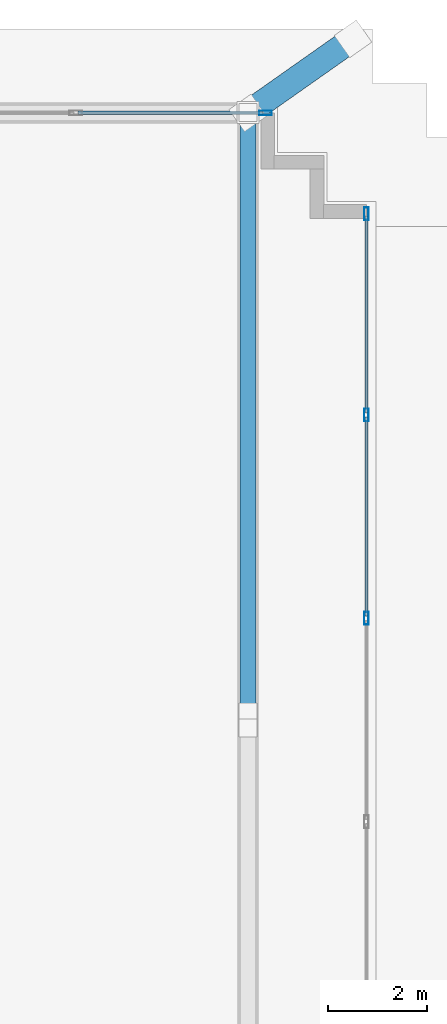
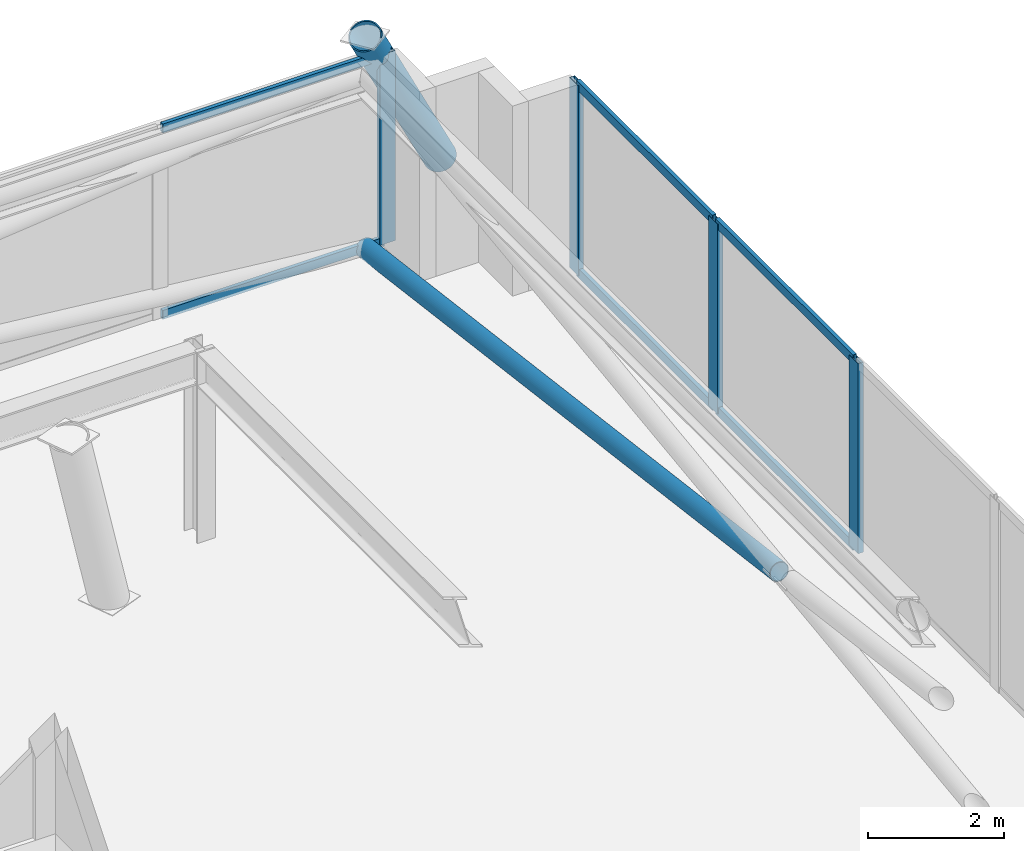
# One storey, part 13 of 18: 12 members, 2 elements without a shape of their own.
"""IFC4 building model written with IfcOpenShell, lengths in metres."""

from ifc_helpers import new_model, si_unit, direction, frame, origin, origin_2d, place, context, subcontext, project, spatial, hollow_rectangle, hollow_circle, extrude, material, layer, layer_set, material_profile, profile_set, type_object, element, aggregate, save


model = new_model("IFC4")

# Units and contexts
model_context = context("Model", 3, precision=1e-05, world=origin(), true_north=direction((0.0, 1.0)))
body_context = subcontext(model_context, "Body", "Model", "MODEL_VIEW")
ifc_project = project(units=[si_unit("LENGTHUNIT", "METRE"), si_unit("AREAUNIT", "SQUARE_METRE"), si_unit("VOLUMEUNIT", "CUBIC_METRE"), si_unit("PLANEANGLEUNIT", "RADIAN"), si_unit("MASSUNIT", "GRAM", prefix="KILO")], contexts=[model_context])

# Site, building, storey
site_placement = place(None, origin())
site = spatial("IfcSite", under=ifc_project, at=site_placement, CompositionType="ELEMENT")
building_placement = place(site_placement, origin())
building = spatial("IfcBuilding", under=site, at=building_placement, Name="Qobustan Lattice House", CompositionType="ELEMENT")
storey_placement = place(building_placement, frame((0.0, 0.0, 277.800048828125)))
storey = spatial("IfcBuildingStorey", under=building, at=storey_placement, Name="L78", CompositionType="ELEMENT", Elevation=277.800048828125)

# Curtain wall, member
ifc_material_1 = material(Name="Anodised aluminium and low-E glazing", Category="aluminium")
ifc_layer = layer(ifc_material_1, 0.219970703125)
ifc_layer_set = layer_set([ifc_layer], Name="Anodised aluminium and low-E glazing")
curtain_wall_type = type_object("IfcCurtainWallType", Name="CW-CRN-01", PredefinedType="USERDEFINED", material=ifc_layer_set)
curtain_wall_1_placement = place(storey_placement, origin())
curtain_wall_1 = element("IfcCurtainWall", 1, at=curtain_wall_1_placement, inside=storey, type_object=curtain_wall_type, Name="L78 glass-point crown faceted curtain wall 10", ObjectType="CURTAIN WALL", PredefinedType="USERDEFINED")
ifc_material_2 = material(Name="Anodised aluminium EN AW-6063 T6", Category="aluminium")
ifc_material_profile_1 = material_profile(ifc_material_2, hollow_rectangle(XDim=0.090087890625, YDim=0.260009765625, WallThickness=0.006103515625, at=origin_2d()), Name="CWM-CROWN-260x90")
ifc_profile_set_1 = profile_set([ifc_material_profile_1], Name="Anodised aluminium EN AW-6063 T6")
member_type_1 = type_object("IfcMemberType", Name="CWM-CRN-260", PredefinedType="MULLION", material=ifc_profile_set_1)
member_1_placement = place(storey_placement, frame((15.301513671875, 10.70361328125, 0.0), z_axis=(0.0, 0.0, 1.0), x_axis=(0.0, 1.0, 0.0)))
member_1 = element("IfcMember", 2, at=member_1_placement, type_object=member_type_1, Name="CW-CR mullion 9", PredefinedType="MULLION", context=body_context, shape_type="SweptSolid", body=[
    extrude(hollow_rectangle(XDim=0.090087890625, YDim=0.260009765625, WallThickness=0.006103515625, at=origin_2d()), origin(), (0.0, 0.0, 1.0), 3.39990234375),
])

# Curtain wall, members
curtain_wall_2_placement = place(storey_placement, origin())
curtain_wall_2 = element("IfcCurtainWall", 3, at=curtain_wall_2_placement, inside=storey, type_object=curtain_wall_type, Name="L78 glass-point crown faceted curtain wall 15", ObjectType="CURTAIN WALL", PredefinedType="USERDEFINED")
member_2_placement = place(storey_placement, frame((17.346435546875, 8.658447265625, 0.0), z_axis=(0.0, 0.0, 1.0), x_axis=(1.0, 0.0, 0.0)))
member_2 = element("IfcMember", 4, at=member_2_placement, type_object=member_type_1, Name="CW-CR mullion 1", PredefinedType="MULLION", context=body_context, shape_type="SweptSolid", body=[
    extrude(hollow_rectangle(XDim=0.090087890625, YDim=0.260009765625, WallThickness=0.006103515625, at=origin_2d()), origin(), (0.0, 0.0, 1.0), 3.39990234375),
])
member_3_placement = place(storey_placement, frame((17.346435546875, 4.58203125, 0.0), z_axis=(0.0, 0.0, 1.0), x_axis=(1.0, 0.0, 0.0)))
member_3 = element("IfcMember", 5, at=member_3_placement, type_object=member_type_1, Name="CW-CR mullion 2", PredefinedType="MULLION", context=body_context, shape_type="SweptSolid", body=[
    extrude(hollow_rectangle(XDim=0.090087890625, YDim=0.260009765625, WallThickness=0.006103515625, at=origin_2d()), origin(), (0.0, 0.0, 1.0), 3.39990234375),
])
member_4_placement = place(storey_placement, frame((17.346435546875, 0.460693359375, 0.0), z_axis=(0.0, 0.0, 1.0), x_axis=(1.0, 0.0, 0.0)))
member_4 = element("IfcMember", 6, at=member_4_placement, type_object=member_type_1, Name="CW-CR mullion 3", PredefinedType="MULLION", context=body_context, shape_type="SweptSolid", body=[
    extrude(hollow_rectangle(XDim=0.090087890625, YDim=0.260009765625, WallThickness=0.006103515625, at=origin_2d()), origin(), (0.0, 0.0, 1.0), 3.39990234375),
])

# Member
ifc_material_3 = material(Name="Anodised aluminium EN AW-6063 T6", Category="aluminium")
ifc_material_profile_2 = material_profile(ifc_material_3, hollow_rectangle(XDim=0.06494140625, YDim=0.159912109375, WallThickness=0.00390625, at=origin_2d()), Name="CWT-160x65")
ifc_profile_set_2 = profile_set([ifc_material_profile_2], Name="Anodised aluminium EN AW-6063 T6")
member_type_2 = type_object("IfcMemberType", Name="CWT-HOR-160", PredefinedType="USERDEFINED", material=ifc_profile_set_2)
member_5_placement = place(storey_placement, frame((11.5048828125, 10.70361328125, 0.032470703125), z_axis=(1.0, 0.0, 0.0), x_axis=(0.0, 1.0, 0.0)))
member_5 = element("IfcMember", 7, at=member_5_placement, type_object=member_type_2, Name="CW-CR transom 8.1", ObjectType="TRANSOM", PredefinedType="USERDEFINED", context=body_context, shape_type="SweptSolid", body=[
    extrude(hollow_rectangle(XDim=0.06494140625, YDim=0.159912109375, WallThickness=0.00390625, at=origin_2d()), origin(), (0.0, 0.0, 1.0), 3.751708984375),
])

member_6_placement = place(storey_placement, frame((11.5048828125, 10.70361328125, 3.367431640625), z_axis=(1.0, 0.0, 0.0), x_axis=(0.0, 1.0, 0.0)))
member_6 = element("IfcMember", 8, at=member_6_placement, type_object=member_type_2, Name="CW-CR transom 8.2", ObjectType="TRANSOM", PredefinedType="USERDEFINED", context=body_context, shape_type="SweptSolid", body=[
    extrude(hollow_rectangle(XDim=0.06494140625, YDim=0.159912109375, WallThickness=0.00390625, at=origin_2d()), origin(), (0.0, 0.0, 1.0), 3.751708984375),
])

aggregate(curtain_wall_1, [member_1, member_5, member_6])

member_7_placement = place(storey_placement, frame((17.346435546875, 8.613525390625, 0.032470703125), z_axis=(0.0, -1.0, 0.0), x_axis=(1.0, 0.0, 0.0)))
member_7 = element("IfcMember", 9, at=member_7_placement, type_object=member_type_2, Name="CW-CR transom 1.1", ObjectType="TRANSOM", PredefinedType="USERDEFINED", context=body_context, shape_type="SweptSolid", body=[
    extrude(hollow_rectangle(XDim=0.06494140625, YDim=0.159912109375, WallThickness=0.00390625, at=origin_2d()), origin(), (0.0, 0.0, 1.0), 3.986328125),
])

member_8_placement = place(storey_placement, frame((17.346435546875, 8.613525390625, 3.367431640625), z_axis=(0.0, -1.0, 0.0), x_axis=(1.0, 0.0, 0.0)))
member_8 = element("IfcMember", 10, at=member_8_placement, type_object=member_type_2, Name="CW-CR transom 1.2", ObjectType="TRANSOM", PredefinedType="USERDEFINED", context=body_context, shape_type="SweptSolid", body=[
    extrude(hollow_rectangle(XDim=0.06494140625, YDim=0.159912109375, WallThickness=0.00390625, at=origin_2d()), origin(), (0.0, 0.0, 1.0), 3.986328125),
])

member_9_placement = place(storey_placement, frame((17.346435546875, 4.537109375, 0.032470703125), z_axis=(0.0, -1.0, 0.0), x_axis=(1.0, 0.0, 0.0)))
member_9 = element("IfcMember", 11, at=member_9_placement, type_object=member_type_2, Name="CW-CR transom 2.1", ObjectType="TRANSOM", PredefinedType="USERDEFINED", context=body_context, shape_type="SweptSolid", body=[
    extrude(hollow_rectangle(XDim=0.06494140625, YDim=0.159912109375, WallThickness=0.00390625, at=origin_2d()), origin(), (0.0, 0.0, 1.0), 4.031494140625),
])

member_10_placement = place(storey_placement, frame((17.346435546875, 4.537109375, 3.367431640625), z_axis=(0.0, -1.0, 0.0), x_axis=(1.0, 0.0, 0.0)))
member_10 = element("IfcMember", 12, at=member_10_placement, type_object=member_type_2, Name="CW-CR transom 2.2", ObjectType="TRANSOM", PredefinedType="USERDEFINED", context=body_context, shape_type="SweptSolid", body=[
    extrude(hollow_rectangle(XDim=0.06494140625, YDim=0.159912109375, WallThickness=0.00390625, at=origin_2d()), origin(), (0.0, 0.0, 1.0), 4.031494140625),
])

aggregate(curtain_wall_2, [member_2, member_3, member_4, member_7, member_8, member_9, member_10])

# Members
ifc_material_4 = material(Name="Steel S355", Category="steel")
ifc_material_profile_3 = material_profile(ifc_material_4, hollow_circle(Radius=0.161865234375, WallThickness=0.012451171875, at=origin_2d()), Name="CHS323.9x12.5")
ifc_profile_set_3 = profile_set([ifc_material_profile_3], Name="Steel S355")
member_type_3 = type_object("IfcMemberType", Name="MEM-CBR-CHS324", PredefinedType="BRACE", material=ifc_profile_set_3)
member_11_placement = place(storey_placement, frame((14.946533203125, 10.70361328125, 0.014892578125), z_axis=(0.0, -0.991827373761, 0.127587070891), x_axis=(1.0, 0.0, 0.0)))
element("IfcMember", 13, at=member_11_placement, inside=storey, type_object=member_type_3, Name="L78 crown diagrid split brace 2B lower", PredefinedType="BRACE", context=body_context, shape_type="SweptSolid", body=[
    extrude(hollow_circle(Radius=0.161865234375, WallThickness=0.012451171875, at=origin_2d()), origin(), (0.0, 0.0, 1.0), 12.237060546875),
])
ifc_material_5 = material(Name="Steel S355", Category="steel")
ifc_material_profile_4 = material_profile(ifc_material_5, hollow_circle(Radius=0.25390625, WallThickness=0.02001953125, at=origin_2d()), Name="CHS508x20")
ifc_profile_set_4 = profile_set([ifc_material_profile_4], Name="Steel S355")
member_type_4 = type_object("IfcMemberType", Name="MEM-STR-CHS508", PredefinedType="STRUT", material=ifc_profile_set_4)
member_12_placement = place(storey_placement, frame((17.073486328125, 12.201416015625, 0.0), z_axis=(-0.461860682092, -0.325242801267, 0.825167759041), x_axis=(0.575765365073, -0.817614973189, 0.0)))
element("IfcMember", 14, at=member_12_placement, inside=storey, type_object=member_type_4, Name="L78 crown corner raking strut 3", PredefinedType="STRUT", context=body_context, shape_type="SweptSolid", body=[
    extrude(hollow_circle(Radius=0.25390625, WallThickness=0.02001953125, at=origin_2d()), origin(), (0.0, 0.0, 1.0), 4.605224609375),
])

save(model, "model.ifc")
